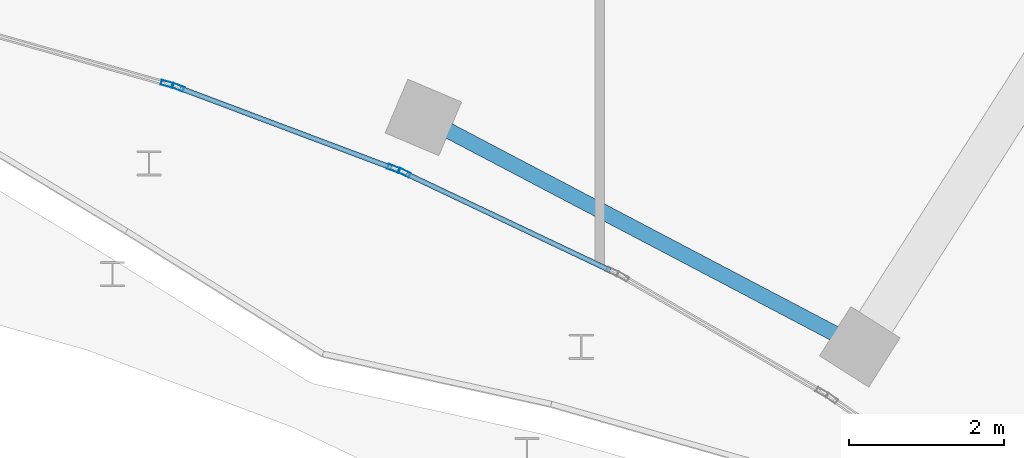
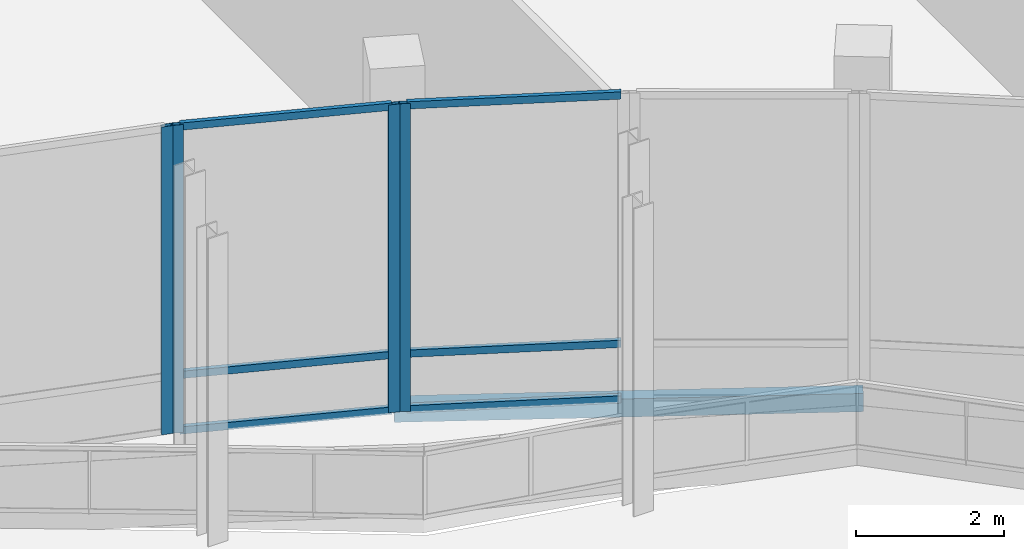
# One storey, part 98 of 158: 10 members, 1 beam, 3 elements without a shape of their own.
"""IFC4 building model written with IfcOpenShell, lengths in metres."""

from ifc_helpers import new_model, si_unit, direction, frame, origin, origin_2d, place, context, subcontext, project, spatial, hollow_rectangle, extrude, material, material_profile, profile_set, type_object, element, aggregate, save


model = new_model("IFC4")

# Units and contexts
model_context = context("Model", 3, precision=1e-05, world=origin(), true_north=direction((0.0, 1.0)))
body_context = subcontext(model_context, "Body", "Model", "MODEL_VIEW")
ifc_project = project(units=[si_unit("LENGTHUNIT", "METRE"), si_unit("AREAUNIT", "SQUARE_METRE"), si_unit("VOLUMEUNIT", "CUBIC_METRE"), si_unit("PLANEANGLEUNIT", "RADIAN"), si_unit("MASSUNIT", "GRAM", prefix="KILO")], contexts=[model_context])

# Site, building, storey
site_placement = place(None, origin())
site = spatial("IfcSite", under=ifc_project, at=site_placement, CompositionType="ELEMENT")
building_placement = place(site_placement, origin())
building = spatial("IfcBuilding", under=site, at=building_placement, Name="Selatvlak General Hospital", CompositionType="ELEMENT")
storey_placement = place(building_placement, origin())
storey = spatial("IfcBuildingStorey", under=building, at=storey_placement, Name="L00", CompositionType="ELEMENT", Elevation=0.0)

# Beam
ifc_material_1 = material(Name="Steel S355", Category="steel")
ifc_material_profile_1 = material_profile(ifc_material_1, hollow_rectangle(XDim=0.199951171875, YDim=0.300048828125, WallThickness=0.011962890625, at=origin_2d()), Name="RHS 300x200x12")
ifc_profile_set_1 = profile_set([ifc_material_profile_1], Name="Steel S355")
beam_type = type_object("IfcBeamType", Name="BM-SP3", PredefinedType="SPANDREL", material=ifc_profile_set_1)
beam_placement = place(storey_placement, frame((154.927978515625, 51.716064453125, -0.5), z_axis=(0.885186813572, -0.46523575215, 0.0), x_axis=(0.46523575215, 0.885186813572, 0.0)))
element("IfcBeam", 1, at=beam_placement, inside=storey, type_object=beam_type, Name="Beam BMR-L00-0383", PredefinedType="SPANDREL", context=body_context, shape_type="SweptSolid", body=[
    extrude(hollow_rectangle(XDim=0.199951171875, YDim=0.300048828125, WallThickness=0.011962890625, at=origin_2d()), origin(), (0.0, 0.0, 1.0), 6.345458984375),
])

# Curtain wall, member
ifc_material_2 = material(Name="Solar-control Low-E double glazing", Category="glass")
curtain_wall_type_1 = type_object("IfcCurtainWallType", Name="CW-CW-02", PredefinedType="USERDEFINED", material=ifc_material_2)
curtain_wall_1_placement = place(storey_placement, origin())
curtain_wall_1 = element("IfcCurtainWall", 2, at=curtain_wall_1_placement, inside=storey, type_object=curtain_wall_type_1, Name="Glazed facade curtain wall CW-L00-0026", ObjectType="UNITISED CURTAIN WALL", PredefinedType="USERDEFINED")
ifc_material_3 = material(Name="Dark anodised aluminium mullion", Category="aluminium")
ifc_material_profile_2 = material_profile(ifc_material_3, hollow_rectangle(XDim=0.06494140625, YDim=0.159912109375, WallThickness=0.00390625, at=origin_2d()), Name="AL-MUL 65x160x4")
ifc_profile_set_2 = profile_set([ifc_material_profile_2], Name="Dark anodised aluminium mullion")
member_type_1 = type_object("IfcMemberType", Name="CWM-01", PredefinedType="MULLION", material=ifc_profile_set_2)
member_1_placement = place(storey_placement, frame((154.680419921875, 51.005126953125, 0.0), z_axis=(0.0, 0.0, 1.0), x_axis=(-0.428525558966, -0.903529659343, 0.0)))
member_1 = element("IfcMember", 3, at=member_1_placement, type_object=member_type_1, Name="CW-02 mullion 2", PredefinedType="MULLION", context=body_context, shape_type="SweptSolid", body=[
    extrude(hollow_rectangle(XDim=0.06494140625, YDim=0.159912109375, WallThickness=0.00390625, at=origin_2d()), origin(), (0.0, 0.0, 1.0), 5.080078125),
])

# Curtain wall, members
curtain_wall_type_2 = type_object("IfcCurtainWallType", Name="CW-CW-01", PredefinedType="USERDEFINED", material=ifc_material_2)
curtain_wall_2_placement = place(storey_placement, origin())
curtain_wall_2 = element("IfcCurtainWall", 4, at=curtain_wall_2_placement, inside=storey, type_object=curtain_wall_type_2, Name="Glazed facade curtain wall CW-L00-0027", ObjectType="UNITISED CURTAIN WALL", PredefinedType="USERDEFINED")
member_2_placement = place(storey_placement, frame((154.545654296875, 51.059326171875, 0.0), z_axis=(0.0, 0.0, 1.0), x_axis=(-0.352027174905, -0.935989779927, 0.0)))
member_2 = element("IfcMember", 5, at=member_2_placement, type_object=member_type_1, Name="CW-01 mullion 1", PredefinedType="MULLION", context=body_context, shape_type="SweptSolid", body=[
    extrude(hollow_rectangle(XDim=0.06494140625, YDim=0.159912109375, WallThickness=0.00390625, at=origin_2d()), origin(), (0.0, 0.0, 1.0), 5.080078125),
])
member_3_placement = place(storey_placement, frame((151.76953125, 52.103515625, 0.0), z_axis=(0.0, 0.0, 1.0), x_axis=(-0.352027174905, -0.935989779927, 0.0)))
member_3 = element("IfcMember", 6, at=member_3_placement, type_object=member_type_1, Name="CW-01 mullion 2", PredefinedType="MULLION", context=body_context, shape_type="SweptSolid", body=[
    extrude(hollow_rectangle(XDim=0.06494140625, YDim=0.159912109375, WallThickness=0.00390625, at=origin_2d()), origin(), (0.0, 0.0, 1.0), 5.080078125),
])

# Curtain wall, member
curtain_wall_3_placement = place(storey_placement, origin())
curtain_wall_3 = element("IfcCurtainWall", 7, at=curtain_wall_3_placement, inside=storey, type_object=curtain_wall_type_1, Name="Glazed facade curtain wall CW-L00-0028", ObjectType="UNITISED CURTAIN WALL", PredefinedType="USERDEFINED")
member_4_placement = place(storey_placement, frame((151.6318359375, 52.14697265625, 0.0), z_axis=(0.0, 0.0, 1.0), x_axis=(-0.272846888748, -0.962057469853, 0.0)))
member_4 = element("IfcMember", 8, at=member_4_placement, type_object=member_type_1, Name="CW-02 mullion 1", PredefinedType="MULLION", context=body_context, shape_type="SweptSolid", body=[
    extrude(hollow_rectangle(XDim=0.06494140625, YDim=0.159912109375, WallThickness=0.00390625, at=origin_2d()), origin(), (0.0, 0.0, 1.0), 5.080078125),
])
aggregate(curtain_wall_3, [member_4])

# Member
ifc_material_profile_3 = material_profile(ifc_material_3, hollow_rectangle(XDim=0.06494140625, YDim=0.1201171875, WallThickness=0.00390625, at=origin_2d()), Name="AL-TRN 65x120x4")
ifc_profile_set_3 = profile_set([ifc_material_profile_3], Name="Dark anodised aluminium mullion")
member_type_2 = type_object("IfcMemberType", Name="CWT-01", PredefinedType="USERDEFINED", material=ifc_profile_set_3)
member_5_placement = place(storey_placement, frame((157.333251953125, 49.746826171875, 0.032470703125), z_axis=(-0.903516867621, 0.42855252878, 0.0), x_axis=(-0.42855252878, -0.903516867621, 0.0)))
member_5 = element("IfcMember", 9, at=member_5_placement, type_object=member_type_2, Name="CW-02 transom 1.1", ObjectType="TRANSOM", PredefinedType="USERDEFINED", context=body_context, shape_type="SweptSolid", body=[
    extrude(hollow_rectangle(XDim=0.06494140625, YDim=0.1201171875, WallThickness=0.00390625, at=origin_2d()), origin(), (0.0, 0.0, 1.0), 2.90380859375),
])

member_6_placement = place(storey_placement, frame((157.333251953125, 49.746826171875, 0.949951171875), z_axis=(-0.903516867621, 0.42855252878, 0.0), x_axis=(-0.42855252878, -0.903516867621, 0.0)))
member_6 = element("IfcMember", 10, at=member_6_placement, type_object=member_type_2, Name="CW-02 transom 1.2", ObjectType="TRANSOM", PredefinedType="USERDEFINED", context=body_context, shape_type="SweptSolid", body=[
    extrude(hollow_rectangle(XDim=0.06494140625, YDim=0.1201171875, WallThickness=0.00390625, at=origin_2d()), origin(), (0.0, 0.0, 1.0), 2.90380859375),
])

member_7_placement = place(storey_placement, frame((157.333251953125, 49.746826171875, 5.047607421875), z_axis=(-0.903516867621, 0.42855252878, 0.0), x_axis=(-0.42855252878, -0.903516867621, 0.0)))
member_7 = element("IfcMember", 11, at=member_7_placement, type_object=member_type_2, Name="CW-02 transom 1.3", ObjectType="TRANSOM", PredefinedType="USERDEFINED", context=body_context, shape_type="SweptSolid", body=[
    extrude(hollow_rectangle(XDim=0.06494140625, YDim=0.1201171875, WallThickness=0.00390625, at=origin_2d()), origin(), (0.0, 0.0, 1.0), 2.90380859375),
])

aggregate(curtain_wall_1, [member_1, member_5, member_6, member_7])

member_8_placement = place(storey_placement, frame((154.51513671875, 51.07080078125, 0.032470703125), z_axis=(-0.935989809252, 0.352027096934, 0.0), x_axis=(-0.352027096934, -0.935989809252, 0.0)))
member_8 = element("IfcMember", 12, at=member_8_placement, type_object=member_type_2, Name="CW-01 transom 1.1", ObjectType="TRANSOM", PredefinedType="USERDEFINED", context=body_context, shape_type="SweptSolid", body=[
    extrude(hollow_rectangle(XDim=0.06494140625, YDim=0.1201171875, WallThickness=0.00390625, at=origin_2d()), origin(), (0.0, 0.0, 1.0), 2.901123046875),
])

member_9_placement = place(storey_placement, frame((154.51513671875, 51.07080078125, 0.949951171875), z_axis=(-0.935989809252, 0.352027096934, 0.0), x_axis=(-0.352027096934, -0.935989809252, 0.0)))
member_9 = element("IfcMember", 13, at=member_9_placement, type_object=member_type_2, Name="CW-01 transom 1.2", ObjectType="TRANSOM", PredefinedType="USERDEFINED", context=body_context, shape_type="SweptSolid", body=[
    extrude(hollow_rectangle(XDim=0.06494140625, YDim=0.1201171875, WallThickness=0.00390625, at=origin_2d()), origin(), (0.0, 0.0, 1.0), 2.901123046875),
])

member_10_placement = place(storey_placement, frame((154.51513671875, 51.07080078125, 5.047607421875), z_axis=(-0.935989809252, 0.352027096934, 0.0), x_axis=(-0.352027096934, -0.935989809252, 0.0)))
member_10 = element("IfcMember", 14, at=member_10_placement, type_object=member_type_2, Name="CW-01 transom 1.3", ObjectType="TRANSOM", PredefinedType="USERDEFINED", context=body_context, shape_type="SweptSolid", body=[
    extrude(hollow_rectangle(XDim=0.06494140625, YDim=0.1201171875, WallThickness=0.00390625, at=origin_2d()), origin(), (0.0, 0.0, 1.0), 2.901123046875),
])

aggregate(curtain_wall_2, [member_2, member_3, member_8, member_9, member_10])

save(model, "model.ifc")
